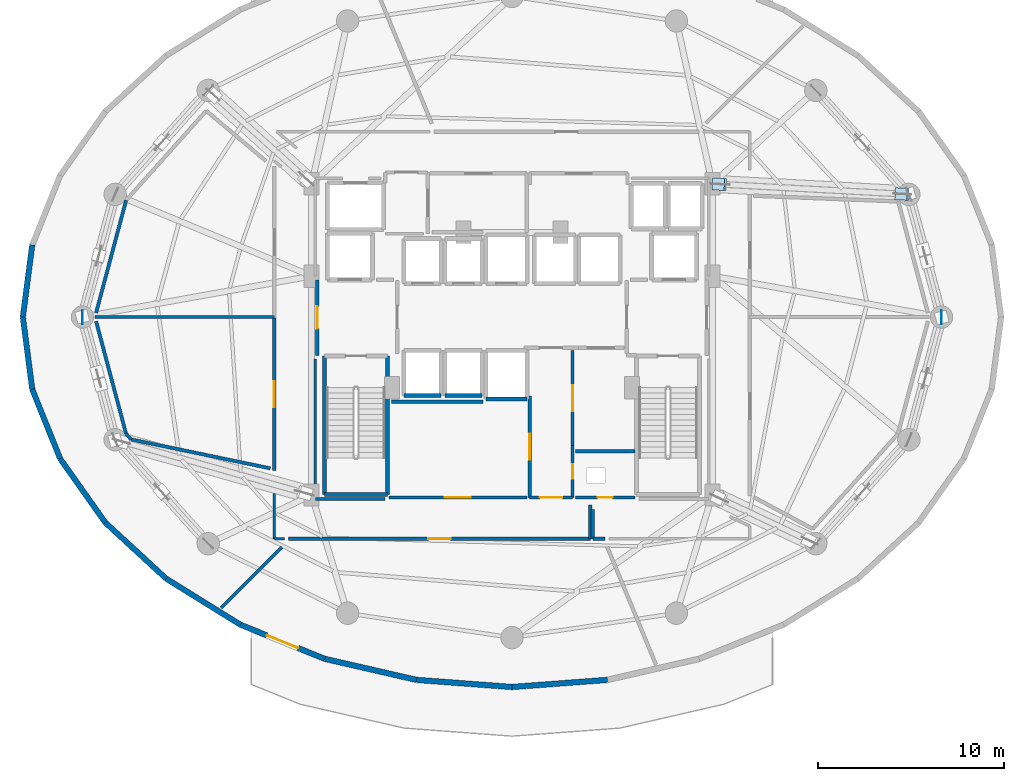
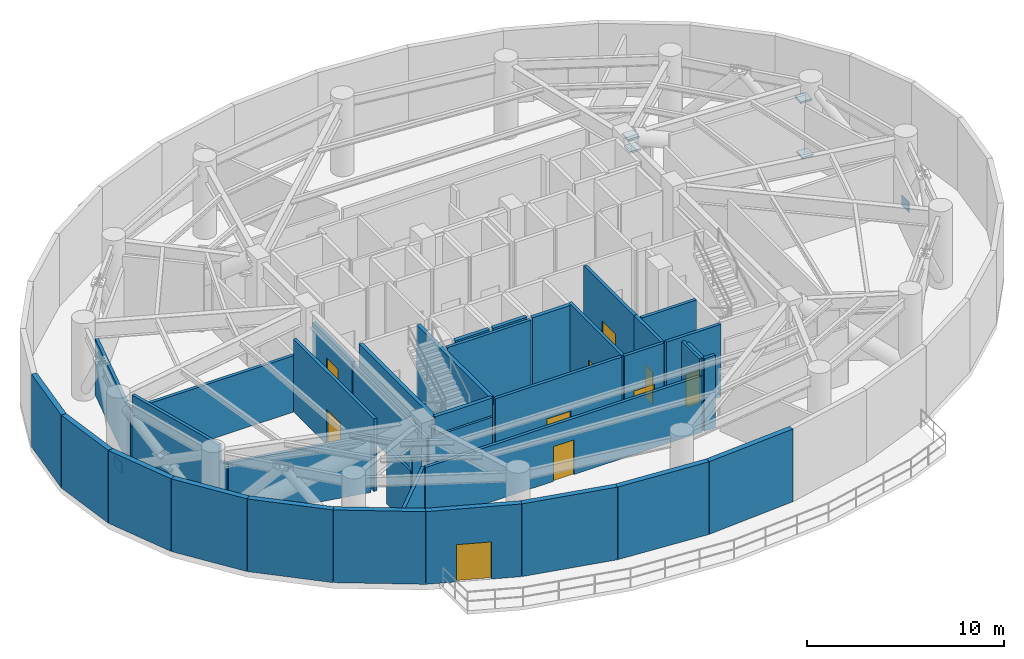
# One storey, part 6 of 10: 40 walls, 10 doors, 6 plates, 10 openings.
"""IFC4 building model written with IfcOpenShell, lengths in metres."""

from ifc_helpers import new_model, si_unit, direction, frame, frame_2d, origin, origin_2d, place, context, subcontext, project, spatial, rectangle, extrude, material, layer, layer_set, type_object, element, fill, save


model = new_model("IFC4")

# Units and contexts
model_context = context("Model", 3, precision=1e-05, world=origin(), true_north=direction((0.0, 1.0)))
body_context = subcontext(model_context, "Body", "Model", "MODEL_VIEW")
ifc_project = project(units=[si_unit("LENGTHUNIT", "METRE"), si_unit("AREAUNIT", "SQUARE_METRE"), si_unit("VOLUMEUNIT", "CUBIC_METRE"), si_unit("PLANEANGLEUNIT", "RADIAN"), si_unit("MASSUNIT", "GRAM", prefix="KILO")], contexts=[model_context])

# Site, building, storey
site_placement = place(None, origin())
site = spatial("IfcSite", under=ifc_project, at=site_placement, CompositionType="ELEMENT")
building_placement = place(site_placement, origin())
building = spatial("IfcBuilding", under=site, at=building_placement, Name="Vorneva Point Tower", CompositionType="ELEMENT")
storey_placement = place(building_placement, frame((0.0, 0.0, 69.5)))
storey = spatial("IfcBuildingStorey", under=building, at=storey_placement, Name="L18", CompositionType="ELEMENT", Elevation=69.5)

# Plates
ifc_material_1 = material(Name="Steel S355", Category="steel")
ifc_layer_1 = layer(ifc_material_1, 0.028076171875)
ifc_layer_set_1 = layer_set([ifc_layer_1], Name="Steel S355")
plate_type_1 = type_object("IfcPlateType", Name="PLT-CAP-INT", PredefinedType="USERDEFINED", material=ifc_layer_set_1)
for number, where, z_axis, x_axis, name in (
    (1, (49.072021484375, 33.1328125, 4.3056640625), (0.0, 0.0, 1.0), (0.99855361041, -0.053765110774, 0.0), "L18 Core Outrigger Diagonal 02A end closure plate 1"),
    (2, (58.973388671875, 32.599609375, 0.05224609375), (0.0, 0.0, 1.0), (0.99855361041, -0.053765110774, 0.0), "L18 Core Outrigger Diagonal 02A end closure plate 2"),
    (3, (49.169189453125, 33.12744140625, 3.51416015625), (0.0, 0.0, 1.0), (0.99855361041, -0.053765110774, 0.0), "L18 Core Outrigger Collector Strut 02B end closure plate 1"),
    (4, (58.876220703125, 32.604736328125, 3.51416015625), (0.0, 0.0, 1.0), (0.99855361041, -0.053765110774, 0.0), "L18 Core Outrigger Collector Strut 02B end closure plate 2"),
):
    element("IfcPlate", number, at=place(storey_placement, frame(where, z_axis=z_axis, x_axis=x_axis)), inside=storey, type_object=plate_type_1, Name=name, ObjectType="BASE PLATE", PredefinedType="USERDEFINED", context=body_context, shape_type="SweptSolid", body=[
        extrude(rectangle(XDim=0.64990234375, YDim=0.64990234375, at=origin_2d()), origin(), (0.0, 0.0, 1.0), 0.112060546875),
    ])
ifc_material_2 = material(Name="Steel S460", Category="steel")
ifc_layer_2 = layer(ifc_material_2, 0.031982421875)
ifc_layer_set_2 = layer_set([ifc_layer_2], Name="Steel S460")
plate_type_2 = type_object("IfcPlateType", Name="PLT-GUS-32", PredefinedType="USERDEFINED", material=ifc_layer_set_2)
for number, where, z_axis, x_axis, name in (
    (5, (61.050048828125, 26.0, -0.054931640625), (0.0, 0.0, 1.0), (0.0, 1.0, 0.0), "L18 Belt-Truss Column Base Gusset Plate 01"),
    (6, (14.949951171875, 26.0, -0.054931640625), (0.0, 0.0, 1.0), (0.0, -1.0, 0.0), "L18 Belt-Truss Column Base Gusset Plate 09"),
):
    element("IfcPlate", number, at=place(storey_placement, frame(where, z_axis=z_axis, x_axis=x_axis)), inside=storey, type_object=plate_type_2, Name=name, ObjectType="GUSSET PLATE", PredefinedType="USERDEFINED", context=body_context, shape_type="SweptSolid", body=[
        extrude(rectangle(XDim=0.75, YDim=0.031982421875, at=origin_2d()), origin(), (0.0, 0.0, 1.0), 0.64990234375),
    ])

# Walls
ifc_material_3 = material(Name="Precast concrete B50 (C40/50)", Category="concrete")
ifc_layer_3 = layer(ifc_material_3, 0.300048828125)
ifc_layer_set_3 = layer_set([ifc_layer_3], Name="Precast concrete B50 (C40/50)")
wall_type_1 = type_object("IfcWallType", Name="WL-EXT-300", PredefinedType="STANDARD", material=ifc_layer_set_3)
for number, where, z_axis, x_axis, name in (
    (7, (12.25439453125, 29.87255859375, 0.0), (0.0, 0.0, 1.0), (-0.129157444793, -0.991624099372, 0.0), "L18 Pale-Metal Facade Spandrel Wall 08.2"),
    (8, (11.75, 26.0, 0.0), (0.0, 0.0, 1.0), (0.129157444793, -0.991624099372, 0.0), "L18 Pale-Metal Facade Spandrel Wall 09.1"),
):
    element("IfcWall", number, at=place(storey_placement, frame(where, z_axis=z_axis, x_axis=x_axis)), inside=storey, type_object=wall_type_1, Name=name, PredefinedType="STANDARD", context=body_context, shape_type="SweptSolid", body=[
        extrude(rectangle(XDim=3.9052734375, YDim=0.300048828125, at=frame_2d((1.95263671875, 0.0))), origin(), (0.0, 0.0, 1.0), 4.5),
    ])
wall_1_placement = place(storey_placement, frame((12.25439453125, 22.12744140625, 0.0), z_axis=(0.0, 0.0, 1.0), x_axis=(0.372345205928, -0.92809430966, 0.0)))
element("IfcWall", 9, at=wall_1_placement, inside=storey, type_object=wall_type_1, Name="L18 Pale-Metal Facade Spandrel Wall 09.2", PredefinedType="STANDARD", context=body_context, shape_type="SweptSolid", body=[
    extrude(rectangle(XDim=4.01220703125, YDim=0.300048828125, at=frame_2d((2.006103515625, 0.0))), origin(), (0.0, 0.0, 1.0), 4.5),
])
wall_2_placement = place(storey_placement, frame((13.748291015625, 18.40380859375, 0.0), z_axis=(0.0, 0.0, 1.0), x_axis=(0.57716435238, -0.81662801222, 0.0)))
element("IfcWall", 10, at=wall_2_placement, inside=storey, type_object=wall_type_1, Name="L18 Pale-Metal Facade Spandrel Wall 10.1", PredefinedType="STANDARD", context=body_context, shape_type="SweptSolid", body=[
    extrude(rectangle(XDim=4.202392578125, YDim=0.300048828125, at=frame_2d((2.10107421875, 0.0))), origin(), (0.0, 0.0, 1.0), 4.5),
])
wall_3_placement = place(storey_placement, frame((16.173828125, 14.971923828125, 0.0), z_axis=(0.0, 0.0, 1.0), x_axis=(0.735416718093, -0.677615119924, 0.0)))
element("IfcWall", 11, at=wall_3_placement, inside=storey, type_object=wall_type_1, Name="L18 Pale-Metal Facade Spandrel Wall 10.2", PredefinedType="STANDARD", context=body_context, shape_type="SweptSolid", body=[
    extrude(rectangle(XDim=4.439208984375, YDim=0.300048828125, at=frame_2d((2.2197265625, 0.0))), origin(), (0.0, 0.0, 1.0), 4.5),
])
wall_4_placement = place(storey_placement, frame((19.4384765625, 11.9638671875, 0.0), z_axis=(0.0, 0.0, 1.0), x_axis=(0.849684479743, -0.527291461038, 0.0)))
element("IfcWall", 12, at=wall_4_placement, inside=storey, type_object=wall_type_1, Name="L18 Pale-Metal Facade Spandrel Wall 11.1", PredefinedType="STANDARD", context=body_context, shape_type="SweptSolid", body=[
    extrude(rectangle(XDim=4.681396484375, YDim=0.300048828125, at=frame_2d((2.3408203125, 0.0))), origin(), (0.0, 0.0, 1.0), 4.5),
])

# Wall, opening, door
wall_5_placement = place(storey_placement, frame((23.416259765625, 9.495361328125, 0.0), z_axis=(0.0, 0.0, 1.0), x_axis=(0.927122233109, -0.374759075775, 0.0)))
wall_5 = element("IfcWall", 13, at=wall_5_placement, inside=storey, type_object=wall_type_1, Name="L18 Pale-Metal Facade Spandrel Wall 11.2", PredefinedType="STANDARD", context=body_context, shape_type="SweptSolid", body=[
    extrude(rectangle(XDim=4.89501953125, YDim=0.300048828125, at=frame_2d((2.447509765625, 0.0))), origin(), (0.0, 0.0, 1.0), 4.5),
])
opening_1_placement = place(wall_5_placement, frame((1.547607421875, 0.0, 0.0)))
opening_1 = element("IfcOpeningElement", 14, at=opening_1_placement, cuts=wall_5, Name="Opening BD-02", PredefinedType="OPENING", context=body_context, shape_type="SweptSolid", body=[
    extrude(rectangle(XDim=1.800048828125, YDim=2.300048828125, at=frame_2d((0.89990234375, 1.14990234375))), frame((0.0, 0.1650390625, 0.0), z_axis=(0.0, -1.0, 0.0), x_axis=(1.0, 0.0, 0.0)), (0.0, 0.0, 1.0), 0.329833984375),
])
ifc_material_4 = material(Name="Pale anodised aluminium", Category="aluminium")
door_type_1 = type_object("IfcDoorType", Name="DR-TER-1800", OperationType="DOUBLE_SWING_LEFT", PredefinedType="DOOR", material=ifc_material_4)
door_1_placement = place(opening_1_placement, origin())
door_1 = element("IfcDoor", 15, at=door_1_placement, inside=storey, type_object=door_type_1, Name="L18 Balcony Terrace Access Door 11", OperationType="DOUBLE_SWING_LEFT", OverallHeight=2.300048828125, OverallWidth=1.800048828125, PredefinedType="DOOR", context=body_context, shape_type="SweptSolid", body=[
    extrude(rectangle(XDim=1.800048828125, YDim=2.300048828125, at=frame_2d((0.89990234375, 1.14990234375))), frame((0.0, 0.02490234375, 0.0), z_axis=(0.0, -1.0, 0.0), x_axis=(1.0, 0.0, 0.0)), (0.0, 0.0, 1.0), 0.050048828125),
])
fill(opening_1, door_1)

# Walls
wall_6_placement = place(storey_placement, frame((27.95458984375, 7.660888671875, 0.0), z_axis=(0.0, 0.0, 1.0), x_axis=(0.974693285837, -0.223546412508, 0.0)))
element("IfcWall", 16, at=wall_6_placement, inside=storey, type_object=wall_type_1, Name="L18 Pale-Metal Facade Spandrel Wall 12.1", PredefinedType="STANDARD", context=body_context, shape_type="SweptSolid", body=[
    extrude(rectangle(XDim=5.05224609375, YDim=0.300048828125, at=frame_2d((2.526123046875, 0.0))), origin(), (0.0, 0.0, 1.0), 4.5),
])
for number, where, z_axis, x_axis, name in (
    (17, (32.87890625, 6.531494140625, 0.0), (0.0, 0.0, 1.0), (0.997235359288, -0.074307726286, 0.0), "L18 Pale-Metal Facade Spandrel Wall 12.2"),
    (18, (38.0, 6.14990234375, 0.0), (0.0, 0.0, 1.0), (0.997235359288, 0.074307726286, 0.0), "L18 Pale-Metal Facade Spandrel Wall 13.1"),
):
    element("IfcWall", number, at=place(storey_placement, frame(where, z_axis=z_axis, x_axis=x_axis)), inside=storey, type_object=wall_type_1, Name=name, PredefinedType="STANDARD", context=body_context, shape_type="SweptSolid", body=[
        extrude(rectangle(XDim=5.13525390625, YDim=0.300048828125, at=frame_2d((2.567626953125, 0.0))), origin(), (0.0, 0.0, 1.0), 4.5),
    ])
ifc_material_5 = material(Name="Fire-rated acoustic gypsum stud partition", Category="gypsum")
ifc_layer_4 = layer(ifc_material_5, 0.139892578125)
ifc_layer_set_4 = layer_set([ifc_layer_4], Name="Fire-rated acoustic gypsum stud partition")
wall_type_2 = type_object("IfcWallType", Name="WL-PART-140", PredefinedType="PARTITIONING", material=ifc_layer_set_4)
wall_7_placement = place(storey_placement, frame((25.25, 16.537109375, 0.0), z_axis=(0.0, 0.0, 1.0), x_axis=(0.0, -1.0, 0.0)))
element("IfcWall", 19, at=wall_7_placement, inside=storey, type_object=wall_type_2, Name="L18 Interior Closure Partition 051", PredefinedType="PARTITIONING", context=body_context, shape_type="SweptSolid", body=[
    extrude(rectangle(XDim=2.43701171875, YDim=0.139892578125, at=frame_2d((1.218505859375, 0.0))), origin(), (0.0, 0.0, 1.0), 3.48193359375),
])
wall_8_placement = place(storey_placement, frame((25.25, 14.10009765625, 0.0), z_axis=(0.0, 0.0, 1.0), x_axis=(1.0, 0.0, 0.0)))
element("IfcWall", 20, at=wall_8_placement, inside=storey, type_object=wall_type_2, Name="L18 Interior Closure Partition 052", PredefinedType="PARTITIONING", context=body_context, shape_type="SweptSolid", body=[
    extrude(rectangle(XDim=0.544921875, YDim=0.139892578125, at=frame_2d((0.2724609375, 0.0))), origin(), (0.0, 0.0, 1.0), 4.18896484375),
])
wall_9_placement = place(storey_placement, frame((31.195068359375, 16.239990234375, 0.0), z_axis=(0.0, 0.0, 1.0), x_axis=(-1.0, 0.0, 0.0)))
element("IfcWall", 21, at=wall_9_placement, inside=storey, type_object=wall_type_2, Name="L18 Interior Closure Partition 053", PredefinedType="PARTITIONING", context=body_context, shape_type="SweptSolid", body=[
    extrude(rectangle(XDim=3.7451171875, YDim=0.139892578125, at=frame_2d((1.87255859375, 0.0))), origin(), (0.0, 0.0, 1.0), 3.48193359375),
])
wall_10_placement = place(storey_placement, frame((27.449951171875, 16.239990234375, 0.0), z_axis=(0.0, 0.0, 1.0), x_axis=(0.0, 1.0, 0.0)))
element("IfcWall", 22, at=wall_10_placement, inside=storey, type_object=wall_type_2, Name="L18 Interior Closure Partition 054", PredefinedType="PARTITIONING", context=body_context, shape_type="SweptSolid", body=[
    extrude(rectangle(XDim=7.513916015625, YDim=0.139892578125, at=frame_2d((3.7568359375, 0.0))), origin(), (0.0, 0.0, 1.0), 3.48193359375),
])

# Wall, opening, door
ifc_material_6 = material(Name="Autoclaved aerated concrete blockwork", Category="masonry")
ifc_layer_5 = layer(ifc_material_6, 0.179931640625)
ifc_layer_set_5 = layer_set([ifc_layer_5], Name="Autoclaved aerated concrete blockwork")
wall_type_3 = type_object("IfcWallType", Name="WL-PART-180", PredefinedType="PARTITIONING", material=ifc_layer_set_5)
wall_11_placement = place(storey_placement, frame((27.550048828125, 28.0, 0.0), z_axis=(0.0, 0.0, 1.0), x_axis=(0.0, -1.0, 0.0)))
wall_11 = element("IfcWall", 23, at=wall_11_placement, inside=storey, type_object=wall_type_3, Name="L18 Interior Partition 002", PredefinedType="PARTITIONING", context=body_context, shape_type="SweptSolid", body=[
    extrude(rectangle(XDim=4.050048828125, YDim=0.179931640625, at=frame_2d((2.02490234375, 0.0))), origin(), (0.0, 0.0, 1.0), 3.48193359375),
])
opening_2_placement = place(wall_11_placement, frame((1.425048828125, 0.0, 0.0)))
opening_2 = element("IfcOpeningElement", 24, at=opening_2_placement, cuts=wall_11, Name="Opening FD-02", PredefinedType="OPENING", context=body_context, shape_type="SweptSolid", body=[
    extrude(rectangle(XDim=1.199951171875, YDim=2.14990234375, at=frame_2d((0.60009765625, 1.074951171875))), frame((0.0, 0.10498046875, 0.0), z_axis=(0.0, -1.0, 0.0), x_axis=(1.0, 0.0, 0.0)), (0.0, 0.0, 1.0), 0.209716796875),
])
ifc_material_7 = material(Name="Fire-rated powder-coated steel", Category="steel")
door_type_2 = type_object("IfcDoorType", Name="DR-FFL-1200", OperationType="NOTDEFINED", PredefinedType="DOOR", material=ifc_material_7)
door_2_placement = place(opening_2_placement, origin())
door_2 = element("IfcDoor", 25, at=door_2_placement, inside=storey, type_object=door_type_2, Name="L18 Door West Firefighting Lobby / L18 Refuge and Lift Lobby", OperationType="SINGLE_SWING_RIGHT", OverallHeight=2.14990234375, OverallWidth=1.199951171875, PredefinedType="DOOR", context=body_context, shape_type="SweptSolid", body=[
    extrude(rectangle(XDim=1.199951171875, YDim=2.14990234375, at=frame_2d((0.60009765625, 1.074951171875))), frame((0.0, 0.02490234375, 0.0), z_axis=(0.0, -1.0, 0.0), x_axis=(1.0, 0.0, 0.0)), (0.0, 0.0, 1.0), 0.050048828125),
])
fill(opening_2, door_2)

wall_12_placement = place(storey_placement, frame((38.949951171875, 21.7548828125, 0.0), z_axis=(0.0, 0.0, 1.0), x_axis=(0.0, -1.0, 0.0)))
wall_12 = element("IfcWall", 26, at=wall_12_placement, inside=storey, type_object=wall_type_3, Name="L18 Interior Partition 011", PredefinedType="PARTITIONING", context=body_context, shape_type="SweptSolid", body=[
    extrude(rectangle(XDim=5.434814453125, YDim=0.179931640625, at=frame_2d((2.71728515625, 0.0))), origin(), (0.0, 0.0, 1.0), 4.5),
])
opening_3_placement = place(wall_12_placement, frame((2.017578125, 0.0, 0.0)))
opening_3 = element("IfcOpeningElement", 27, at=opening_3_placement, cuts=wall_12, Name="Opening FD-03", PredefinedType="OPENING", context=body_context, shape_type="SweptSolid", body=[
    extrude(rectangle(XDim=1.39990234375, YDim=2.199951171875, at=frame_2d((0.699951171875, 1.10009765625))), frame((0.0, 0.10498046875, 0.0), z_axis=(0.0, -1.0, 0.0), x_axis=(1.0, 0.0, 0.0)), (0.0, 0.0, 1.0), 0.209716796875),
])
door_type_3 = type_object("IfcDoorType", Name="DR-PLT-1400", OperationType="DOUBLE_SWING_LEFT", PredefinedType="DOOR", material=ifc_material_7)
door_3_placement = place(opening_3_placement, origin())
door_3 = element("IfcDoor", 28, at=door_3_placement, inside=storey, type_object=door_type_3, Name="L18 Door Core Service Lobby / Core Hydraulic Pump Plant L18", OperationType="DOUBLE_SWING_LEFT", OverallHeight=2.199951171875, OverallWidth=1.39990234375, PredefinedType="DOOR", context=body_context, shape_type="SweptSolid", body=[
    extrude(rectangle(XDim=1.39990234375, YDim=2.199951171875, at=frame_2d((0.699951171875, 1.10009765625))), frame((0.0, 0.02490234375, 0.0), z_axis=(0.0, -1.0, 0.0), x_axis=(1.0, 0.0, 0.0)), (0.0, 0.0, 1.0), 0.050048828125),
])
fill(opening_3, door_3)

wall_13_placement = place(storey_placement, frame((41.25, 16.320068359375, 0.0), z_axis=(0.0, 0.0, 1.0), x_axis=(0.0, 1.0, 0.0)))
wall_13 = element("IfcWall", 29, at=wall_13_placement, inside=storey, type_object=wall_type_3, Name="L18 Interior Partition 012", PredefinedType="PARTITIONING", context=body_context, shape_type="SweptSolid", body=[
    extrude(rectangle(XDim=2.784912109375, YDim=0.179931640625, at=frame_2d((1.392578125, 0.0))), origin(), (0.0, 0.0, 1.0), 4.5),
])
opening_4_placement = place(wall_13_placement, frame((0.992431640625, 0.0, 0.0)))
opening_4 = element("IfcOpeningElement", 30, at=opening_4_placement, cuts=wall_13, Name="Opening RD-01", PredefinedType="OPENING", context=body_context, shape_type="SweptSolid", body=[
    extrude(rectangle(XDim=0.800048828125, YDim=2.050048828125, at=frame_2d((0.39990234375, 1.02490234375))), frame((0.0, 0.10498046875, 0.0), z_axis=(0.0, -1.0, 0.0), x_axis=(1.0, 0.0, 0.0)), (0.0, 0.0, 1.0), 0.209716796875),
])
door_type_4 = type_object("IfcDoorType", Name="DR-RSR-800", OperationType="SINGLE_SWING_LEFT", PredefinedType="DOOR", material=ifc_material_7)
door_4_placement = place(opening_4_placement, origin())
door_4 = element("IfcDoor", 31, at=door_4_placement, inside=storey, type_object=door_type_4, Name="L18 Door Core Service Lobby / Electrical Riser", OperationType="SINGLE_SWING_RIGHT", OverallHeight=2.050048828125, OverallWidth=0.800048828125, PredefinedType="DOOR", context=body_context, shape_type="SweptSolid", body=[
    extrude(rectangle(XDim=0.800048828125, YDim=2.050048828125, at=frame_2d((0.39990234375, 1.02490234375))), frame((0.0, 0.02490234375, 0.0), z_axis=(0.0, -1.0, 0.0), x_axis=(1.0, 0.0, 0.0)), (0.0, 0.0, 1.0), 0.050048828125),
])
fill(opening_4, door_4)

wall_14_placement = place(storey_placement, frame((41.25, 19.10498046875, 0.0), z_axis=(0.0, 0.0, 1.0), x_axis=(0.0, 1.0, 0.0)))
wall_14 = element("IfcWall", 32, at=wall_14_placement, inside=storey, type_object=wall_type_3, Name="L18 Interior Partition 013", PredefinedType="PARTITIONING", context=body_context, shape_type="SweptSolid", body=[
    extrude(rectangle(XDim=5.094970703125, YDim=0.179931640625, at=frame_2d((2.54736328125, 0.0))), origin(), (0.0, 0.0, 1.0), 4.5),
])
opening_5_placement = place(wall_14_placement, frame((1.847412109375, 0.0, 0.0)))
opening_5 = element("IfcOpeningElement", 33, at=opening_5_placement, cuts=wall_14, Name="Opening FD-03", PredefinedType="OPENING", context=body_context, shape_type="SweptSolid", body=[
    extrude(rectangle(XDim=1.39990234375, YDim=2.199951171875, at=frame_2d((0.699951171875, 1.10009765625))), frame((0.0, 0.10498046875, 0.0), z_axis=(0.0, -1.0, 0.0), x_axis=(1.0, 0.0, 0.0)), (0.0, 0.0, 1.0), 0.209716796875),
])
door_5_placement = place(opening_5_placement, origin())
door_5 = element("IfcDoor", 34, at=door_5_placement, inside=storey, type_object=door_type_3, Name="L18 Door Core Service Lobby / Core BMS Control Plant L18", OperationType="DOUBLE_SWING_LEFT", OverallHeight=2.199951171875, OverallWidth=1.39990234375, PredefinedType="DOOR", context=body_context, shape_type="SweptSolid", body=[
    extrude(rectangle(XDim=1.39990234375, YDim=2.199951171875, at=frame_2d((0.699951171875, 1.10009765625))), frame((0.0, 0.02490234375, 0.0), z_axis=(0.0, -1.0, 0.0), x_axis=(1.0, 0.0, 0.0)), (0.0, 0.0, 1.0), 0.050048828125),
])
fill(opening_5, door_5)

wall_15_placement = place(storey_placement, frame((38.949951171875, 16.320068359375, 0.0), z_axis=(0.0, 0.0, 1.0), x_axis=(1.0, 0.0, 0.0)))
wall_15 = element("IfcWall", 35, at=wall_15_placement, inside=storey, type_object=wall_type_3, Name="L18 Interior Partition 014", PredefinedType="PARTITIONING", context=body_context, shape_type="SweptSolid", body=[
    extrude(rectangle(XDim=2.300048828125, YDim=0.179931640625, at=frame_2d((1.14990234375, 0.0))), origin(), (0.0, 0.0, 1.0), 4.5),
])
opening_6_placement = place(wall_15_placement, frame((0.550048828125, 0.0, 0.0)))
opening_6 = element("IfcOpeningElement", 36, at=opening_6_placement, cuts=wall_15, Name="Opening FD-02", PredefinedType="OPENING", context=body_context, shape_type="SweptSolid", body=[
    extrude(rectangle(XDim=1.199951171875, YDim=2.14990234375, at=frame_2d((0.60009765625, 1.074951171875))), frame((0.0, 0.10498046875, 0.0), z_axis=(0.0, -1.0, 0.0), x_axis=(1.0, 0.0, 0.0)), (0.0, 0.0, 1.0), 0.209716796875),
])
door_6_placement = place(opening_6_placement, origin())
door_6 = element("IfcDoor", 37, at=door_6_placement, inside=storey, type_object=door_type_2, Name="L18 Door Core Service Lobby / L18 Refuge and Lift Lobby", OperationType="SINGLE_SWING_RIGHT", OverallHeight=2.14990234375, OverallWidth=1.199951171875, PredefinedType="DOOR", context=body_context, shape_type="SweptSolid", body=[
    extrude(rectangle(XDim=1.199951171875, YDim=2.14990234375, at=frame_2d((0.60009765625, 1.074951171875))), frame((0.0, 0.02490234375, 0.0), z_axis=(0.0, -1.0, 0.0), x_axis=(1.0, 0.0, 0.0)), (0.0, 0.0, 1.0), 0.050048828125),
])
fill(opening_6, door_6)

wall_16_placement = place(storey_placement, frame((31.39990234375, 16.320068359375, 0.0), z_axis=(0.0, 0.0, 1.0), x_axis=(1.0, 0.0, 0.0)))
wall_16 = element("IfcWall", 38, at=wall_16_placement, inside=storey, type_object=wall_type_3, Name="L18 Interior Partition 020", PredefinedType="PARTITIONING", context=body_context, shape_type="SweptSolid", body=[
    extrude(rectangle(XDim=7.400146484375, YDim=0.179931640625, at=frame_2d((3.7001953125, 0.0))), origin(), (0.0, 0.0, 1.0), 4.5),
])
opening_7_placement = place(wall_16_placement, frame((3.0, 0.0, 0.0)))
opening_7 = element("IfcOpeningElement", 39, at=opening_7_placement, cuts=wall_16, Name="Opening FD-03", PredefinedType="OPENING", context=body_context, shape_type="SweptSolid", body=[
    extrude(rectangle(XDim=1.39990234375, YDim=2.199951171875, at=frame_2d((0.699951171875, 1.10009765625))), frame((0.0, 0.10498046875, 0.0), z_axis=(0.0, -1.0, 0.0), x_axis=(1.0, 0.0, 0.0)), (0.0, 0.0, 1.0), 0.209716796875),
])
door_7_placement = place(opening_7_placement, origin())
door_7 = element("IfcDoor", 40, at=door_7_placement, inside=storey, type_object=door_type_3, Name="L18 Door Core Hydraulic Pump Plant L18 / L18 Refuge and Lift Lobby", OperationType="DOUBLE_SWING_LEFT", OverallHeight=2.199951171875, OverallWidth=1.39990234375, PredefinedType="DOOR", context=body_context, shape_type="SweptSolid", body=[
    extrude(rectangle(XDim=1.39990234375, YDim=2.199951171875, at=frame_2d((0.699951171875, 1.10009765625))), frame((0.0, 0.02490234375, 0.0), z_axis=(0.0, -1.0, 0.0), x_axis=(1.0, 0.0, 0.0)), (0.0, 0.0, 1.0), 0.050048828125),
])
fill(opening_7, door_7)

# Wall
wall_17_placement = place(storey_placement, frame((44.60009765625, 18.800048828125, 0.0), z_axis=(0.0, 0.0, 1.0), x_axis=(-1.0, 0.0, 0.0)))
element("IfcWall", 41, at=wall_17_placement, inside=storey, type_object=wall_type_3, Name="L18 Interior Partition 021", PredefinedType="PARTITIONING", context=body_context, shape_type="SweptSolid", body=[
    extrude(rectangle(XDim=3.2001953125, YDim=0.179931640625, at=frame_2d((1.60009765625, 0.0))), origin(), (0.0, 0.0, 1.0), 4.5),
])

# Wall, opening, door
wall_18_placement = place(storey_placement, frame((41.39990234375, 16.320068359375, 0.0), z_axis=(0.0, 0.0, 1.0), x_axis=(1.0, 0.0, 0.0)))
wall_18 = element("IfcWall", 42, at=wall_18_placement, inside=storey, type_object=wall_type_3, Name="L18 Interior Partition 022", PredefinedType="PARTITIONING", context=body_context, shape_type="SweptSolid", body=[
    extrude(rectangle(XDim=3.2001953125, YDim=0.179931640625, at=frame_2d((1.60009765625, 0.0))), origin(), (0.0, 0.0, 1.0), 4.5),
])
opening_8_placement = place(wall_18_placement, frame((1.199951171875, 0.0, 0.0)))
opening_8 = element("IfcOpeningElement", 43, at=opening_8_placement, cuts=wall_18, Name="Opening RD-01", PredefinedType="OPENING", context=body_context, shape_type="SweptSolid", body=[
    extrude(rectangle(XDim=0.800048828125, YDim=2.050048828125, at=frame_2d((0.39990234375, 1.02490234375))), frame((0.0, 0.10498046875, 0.0), z_axis=(0.0, -1.0, 0.0), x_axis=(1.0, 0.0, 0.0)), (0.0, 0.0, 1.0), 0.209716796875),
])
door_8_placement = place(opening_8_placement, origin())
door_8 = element("IfcDoor", 44, at=door_8_placement, inside=storey, type_object=door_type_4, Name="L18 Door Electrical Riser / L18 Refuge and Lift Lobby", OperationType="SINGLE_SWING_RIGHT", OverallHeight=2.050048828125, OverallWidth=0.800048828125, PredefinedType="DOOR", context=body_context, shape_type="SweptSolid", body=[
    extrude(rectangle(XDim=0.800048828125, YDim=2.050048828125, at=frame_2d((0.39990234375, 1.02490234375))), frame((0.0, 0.02490234375, 0.0), z_axis=(0.0, -1.0, 0.0), x_axis=(1.0, 0.0, 0.0)), (0.0, 0.0, 1.0), 0.050048828125),
])
fill(opening_8, door_8)

wall_19_placement = place(storey_placement, frame((25.25, 25.93994140625, 0.0), z_axis=(0.0, 0.0, 1.0), x_axis=(0.0, -1.0, 0.0)))
wall_19 = element("IfcWall", 45, at=wall_19_placement, inside=storey, type_object=wall_type_3, Name="L18 Interior Partition 025", PredefinedType="PARTITIONING", context=body_context, shape_type="SweptSolid", body=[
    extrude(rectangle(XDim=8.1640625, YDim=0.179931640625, at=frame_2d((4.08203125, 0.0))), origin(), (0.0, 0.0, 1.0), 4.5),
])
opening_9_placement = place(wall_19_placement, frame((3.382080078125, 0.0, 0.0)))
opening_9 = element("IfcOpeningElement", 46, at=opening_9_placement, cuts=wall_19, Name="Opening FD-03", PredefinedType="OPENING", context=body_context, shape_type="SweptSolid", body=[
    extrude(rectangle(XDim=1.39990234375, YDim=2.199951171875, at=frame_2d((0.699951171875, 1.10009765625))), frame((0.0, 0.10498046875, 0.0), z_axis=(0.0, -1.0, 0.0), x_axis=(1.0, 0.0, 0.0)), (0.0, 0.0, 1.0), 0.209716796875),
])
door_9_placement = place(opening_9_placement, origin())
door_9 = element("IfcDoor", 47, at=door_9_placement, inside=storey, type_object=door_type_3, Name="L18 Door L18 Refuge and Lift Lobby / Domestic Pump and Water Tank Room L18", OperationType="DOUBLE_SWING_LEFT", OverallHeight=2.199951171875, OverallWidth=1.39990234375, PredefinedType="DOOR", context=body_context, shape_type="SweptSolid", body=[
    extrude(rectangle(XDim=1.39990234375, YDim=2.199951171875, at=frame_2d((0.699951171875, 1.10009765625))), frame((0.0, 0.02490234375, 0.0), z_axis=(0.0, -1.0, 0.0), x_axis=(1.0, 0.0, 0.0)), (0.0, 0.0, 1.0), 0.050048828125),
])
fill(opening_9, door_9)

# Walls
wall_20_placement = place(storey_placement, frame((42.340087890625, 15.678955078125, 0.0), z_axis=(0.0, 0.0, 1.0), x_axis=(0.0, -1.0, 0.0)))
element("IfcWall", 48, at=wall_20_placement, inside=storey, type_object=wall_type_3, Name="L18 Interior Partition 026", PredefinedType="PARTITIONING", context=body_context, shape_type="SweptSolid", body=[
    extrude(rectangle(XDim=1.578857421875, YDim=0.179931640625, at=frame_2d((0.78955078125, 0.0))), origin(), (0.0, 0.0, 1.0), 4.5),
])
wall_21_placement = place(storey_placement, frame((42.340087890625, 14.10009765625, 0.0), z_axis=(0.0, 0.0, 1.0), x_axis=(1.0, 0.0, 0.0)))
element("IfcWall", 49, at=wall_21_placement, inside=storey, type_object=wall_type_3, Name="L18 Interior Partition 027", PredefinedType="PARTITIONING", context=body_context, shape_type="SweptSolid", body=[
    extrude(rectangle(XDim=0.65380859375, YDim=0.179931640625, at=frame_2d((0.326904296875, 0.0))), origin(), (0.0, 0.0, 1.0), 4.5),
])

# Wall, opening, door
wall_22_placement = place(storey_placement, frame((26.014892578125, 14.10009765625, 0.0), z_axis=(0.0, 0.0, 1.0), x_axis=(1.0, 0.0, 0.0)))
wall_22 = element("IfcWall", 50, at=wall_22_placement, inside=storey, type_object=wall_type_3, Name="L18 Interior Partition 028", PredefinedType="PARTITIONING", context=body_context, shape_type="SweptSolid", body=[
    extrude(rectangle(XDim=16.18505859375, YDim=0.179931640625, at=frame_2d((8.092529296875, 0.0))), origin(), (0.0, 0.0, 1.0), 3.48193359375),
])
opening_10_placement = place(wall_22_placement, frame((7.492431640625, 0.0, 0.0)))
opening_10 = element("IfcOpeningElement", 51, at=opening_10_placement, cuts=wall_22, Name="Opening FD-02", PredefinedType="OPENING", context=body_context, shape_type="SweptSolid", body=[
    extrude(rectangle(XDim=1.199951171875, YDim=2.14990234375, at=frame_2d((0.60009765625, 1.074951171875))), frame((0.0, 0.10498046875, 0.0), z_axis=(0.0, -1.0, 0.0), x_axis=(1.0, 0.0, 0.0)), (0.0, 0.0, 1.0), 0.209716796875),
])
door_10_placement = place(opening_10_placement, origin())
door_10 = element("IfcDoor", 52, at=door_10_placement, inside=storey, type_object=door_type_2, Name="L18 Door L18 Refuge and Lift Lobby / Refuge Area South L18", OperationType="SINGLE_SWING_RIGHT", OverallHeight=2.14990234375, OverallWidth=1.199951171875, PredefinedType="DOOR", context=body_context, shape_type="SweptSolid", body=[
    extrude(rectangle(XDim=1.199951171875, YDim=2.14990234375, at=frame_2d((0.60009765625, 1.074951171875))), frame((0.0, 0.02490234375, 0.0), z_axis=(0.0, -1.0, 0.0), x_axis=(1.0, 0.0, 0.0)), (0.0, 0.0, 1.0), 0.050048828125),
])
fill(opening_10, door_10)

# Walls
wall_23_placement = place(storey_placement, frame((42.199951171875, 14.10009765625, 0.0), z_axis=(0.0, 0.0, 1.0), x_axis=(0.0, 1.0, 0.0)))
element("IfcWall", 53, at=wall_23_placement, inside=storey, type_object=wall_type_3, Name="L18 Interior Partition 029", PredefinedType="PARTITIONING", context=body_context, shape_type="SweptSolid", body=[
    extrude(rectangle(XDim=1.81982421875, YDim=0.179931640625, at=frame_2d((0.909912109375, 0.0))), origin(), (0.0, 0.0, 1.0), 4.5),
])
wall_24_placement = place(storey_placement, frame((15.623046875, 26.0, 0.0), z_axis=(0.0, 0.0, 1.0), x_axis=(1.0, 0.0, 0.0)))
element("IfcWall", 54, at=wall_24_placement, inside=storey, type_object=wall_type_3, Name="L18 Interior Partition 032", PredefinedType="PARTITIONING", context=body_context, shape_type="SweptSolid", body=[
    extrude(rectangle(XDim=9.626953125, YDim=0.179931640625, at=frame_2d((4.8134765625, 0.0))), origin(), (0.0, 0.0, 1.0), 3.48193359375),
])
wall_25_placement = place(storey_placement, frame((36.43896484375, 21.449951171875, 0.0), z_axis=(0.0, 0.0, 1.0), x_axis=(-1.0, 0.0, 0.0)))
element("IfcWall", 55, at=wall_25_placement, inside=storey, type_object=wall_type_3, Name="L18 Interior Closure Partition 038", PredefinedType="PARTITIONING", context=body_context, shape_type="SweptSolid", body=[
    extrude(rectangle(XDim=4.908935546875, YDim=0.179931640625, at=frame_2d((2.45458984375, 0.0))), origin(), (0.0, 0.0, 1.0), 4.5),
])
wall_26_placement = place(storey_placement, frame((17.29296875, 32.263916015625, 0.0), z_axis=(0.0, 0.0, 1.0), x_axis=(-0.257567905164, -0.966260200065, 0.0)))
element("IfcWall", 56, at=wall_26_placement, inside=storey, type_object=wall_type_3, Name="L18 Interior Closure Partition 061", PredefinedType="PARTITIONING", context=body_context, shape_type="SweptSolid", body=[
    extrude(rectangle(XDim=6.2548828125, YDim=0.179931640625, at=frame_2d((3.12744140625, 0.0))), origin(), (0.0, 0.0, 1.0), 3.48193359375),
])
wall_27_placement = place(storey_placement, frame((15.68408203125, 25.77001953125, 0.0), z_axis=(0.0, 0.0, 1.0), x_axis=(0.257638317277, -0.966241428149, 0.0)))
element("IfcWall", 57, at=wall_27_placement, inside=storey, type_object=wall_type_3, Name="L18 Interior Closure Partition 063", PredefinedType="PARTITIONING", context=body_context, shape_type="SweptSolid", body=[
    extrude(rectangle(XDim=6.24462890625, YDim=0.179931640625, at=frame_2d((3.122314453125, 0.0))), origin(), (0.0, 0.0, 1.0), 4.5),
])
wall_28_placement = place(storey_placement, frame((17.29296875, 19.736083984375, 0.0), z_axis=(0.0, 0.0, 1.0), x_axis=(0.666530578837, -0.745477690797, 0.0)))
element("IfcWall", 58, at=wall_28_placement, inside=storey, type_object=wall_type_3, Name="L18 Interior Closure Partition 064", PredefinedType="PARTITIONING", context=body_context, shape_type="SweptSolid", body=[
    extrude(rectangle(XDim=0.405029296875, YDim=0.179931640625, at=frame_2d((0.20263671875, 0.0))), origin(), (0.0, 0.0, 1.0), 3.48193359375),
])
wall_29_placement = place(storey_placement, frame((17.56298828125, 19.43408203125, 0.0), z_axis=(0.0, 0.0, 1.0), x_axis=(0.979075389476, -0.203497866631, 0.0)))
element("IfcWall", 59, at=wall_29_placement, inside=storey, type_object=wall_type_3, Name="L18 Interior Closure Partition 065", PredefinedType="PARTITIONING", context=body_context, shape_type="SweptSolid", body=[
    extrude(rectangle(XDim=7.626708984375, YDim=0.179931640625, at=frame_2d((3.8134765625, 0.0))), origin(), (0.0, 0.0, 1.0), 3.48193359375),
])
wall_30_placement = place(storey_placement, frame((25.64990234375, 13.64990234375, 0.0), z_axis=(0.0, 0.0, 1.0), x_axis=(-0.707106781187, -0.707106781187, 0.0)))
element("IfcWall", 60, at=wall_30_placement, inside=storey, type_object=wall_type_3, Name="L18 Interior Closure Partition 066", PredefinedType="PARTITIONING", context=body_context, shape_type="SweptSolid", body=[
    extrude(rectangle(XDim=4.608642578125, YDim=0.179931640625, at=frame_2d((2.30419921875, 0.0))), origin(), (0.0, 0.0, 1.0), 3.884033203125),
])
ifc_material_8 = material(Name="Concrete B50 (C40/50)", Category="concrete")
ifc_layer_6 = layer(ifc_material_8, 0.219970703125)
ifc_layer_set_6 = layer_set([ifc_layer_6], Name="Concrete B50 (C40/50)")
wall_type_4 = type_object("IfcWallType", Name="WL-SHFT-220", PredefinedType="SOLIDWALL", material=ifc_layer_set_6)
wall_31_placement = place(storey_placement, frame((31.31005859375, 23.909912109375, 0.0), z_axis=(0.0, 0.0, 1.0), x_axis=(0.0, -1.0, 0.0)))
element("IfcWall", 61, at=wall_31_placement, inside=storey, type_object=wall_type_4, Name="L18 Exit Stair ST1 Shaft Wall right", PredefinedType="SOLIDWALL", context=body_context, shape_type="SweptSolid", body=[
    extrude(rectangle(XDim=7.419921875, YDim=0.219970703125, at=frame_2d((3.7099609375, 0.0))), origin(), (0.0, 0.0, 1.0), 4.5),
])
wall_32_placement = place(storey_placement, frame((31.31005859375, 16.489990234375, 0.0), z_axis=(0.0, 0.0, 1.0), x_axis=(-1.0, 0.0, 0.0)))
element("IfcWall", 62, at=wall_32_placement, inside=storey, type_object=wall_type_4, Name="L18 Exit Stair ST1 Shaft Wall far", PredefinedType="SOLIDWALL", context=body_context, shape_type="SweptSolid", body=[
    extrude(rectangle(XDim=3.3701171875, YDim=0.219970703125, at=frame_2d((1.68505859375, 0.0))), origin(), (0.0, 0.0, 1.0), 4.5),
])
wall_33_placement = place(storey_placement, frame((27.93994140625, 16.489990234375, 0.0), z_axis=(0.0, 0.0, 1.0), x_axis=(0.0, 1.0, 0.0)))
element("IfcWall", 63, at=wall_33_placement, inside=storey, type_object=wall_type_4, Name="L18 Exit Stair ST1 Shaft Wall left", PredefinedType="SOLIDWALL", context=body_context, shape_type="SweptSolid", body=[
    extrude(rectangle(XDim=7.419921875, YDim=0.219970703125, at=frame_2d((3.7099609375, 0.0))), origin(), (0.0, 0.0, 1.0), 4.5),
])
for number, where, z_axis, x_axis, name in (
    (64, (32.199951171875, 21.800048828125, 0.0), (0.0, 0.0, 1.0), (1.0, 0.0, 0.0), "L18 Lift PL4 Shaft Wall -Y"),
    (65, (34.39990234375, 21.800048828125, 0.0), (0.0, 0.0, 1.0), (1.0, 0.0, 0.0), "L18 Lift PL5 Shaft Wall -Y"),
):
    element("IfcWall", number, at=place(storey_placement, frame(where, z_axis=z_axis, x_axis=x_axis)), inside=storey, type_object=wall_type_4, Name=name, PredefinedType="SOLIDWALL", context=body_context, shape_type="SweptSolid", body=[
        extrude(rectangle(XDim=2.0, YDim=0.219970703125, at=frame_2d((1.0, 0.0))), origin(), (0.0, 0.0, 1.0), 4.5),
    ])
wall_34_placement = place(storey_placement, frame((36.60009765625, 21.60009765625, 0.0), z_axis=(0.0, 0.0, 1.0), x_axis=(1.0, 0.0, 0.0)))
element("IfcWall", 66, at=wall_34_placement, inside=storey, type_object=wall_type_4, Name="L18 Lift PL6 Shaft Wall -Y", PredefinedType="SOLIDWALL", context=body_context, shape_type="SweptSolid", body=[
    extrude(rectangle(XDim=2.199951171875, YDim=0.219970703125, at=frame_2d((1.10009765625, 0.0))), origin(), (0.0, 0.0, 1.0), 4.5),
])

save(model, "model.ifc")
